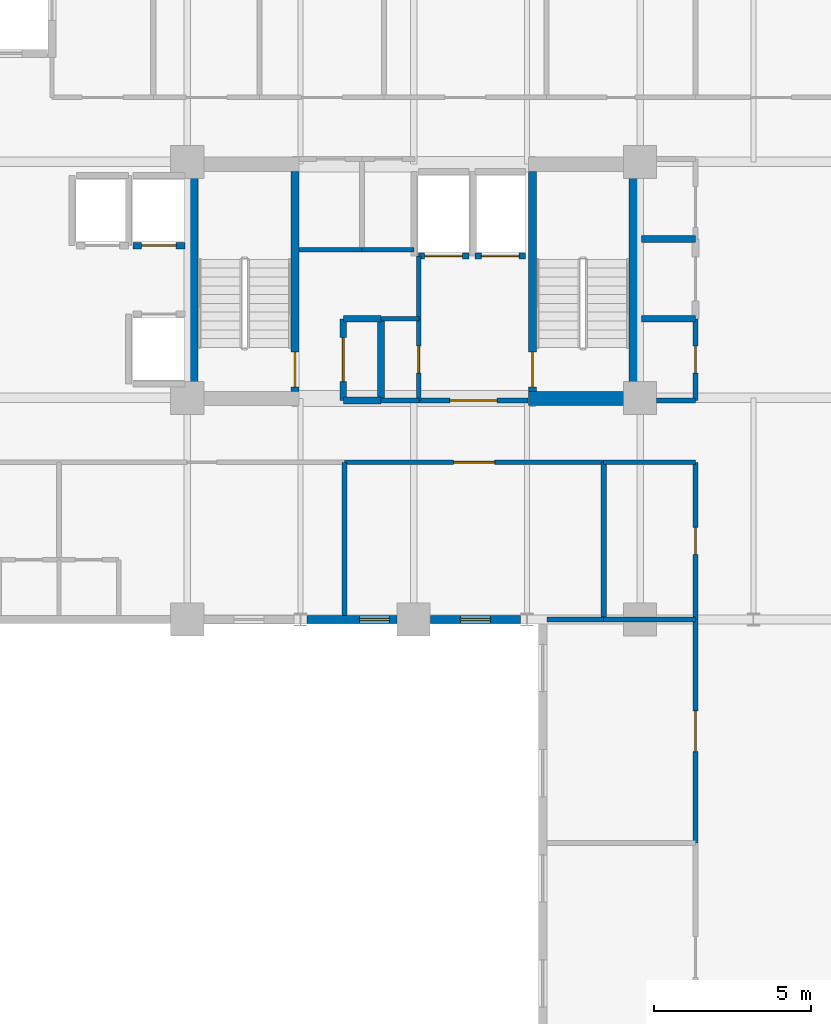
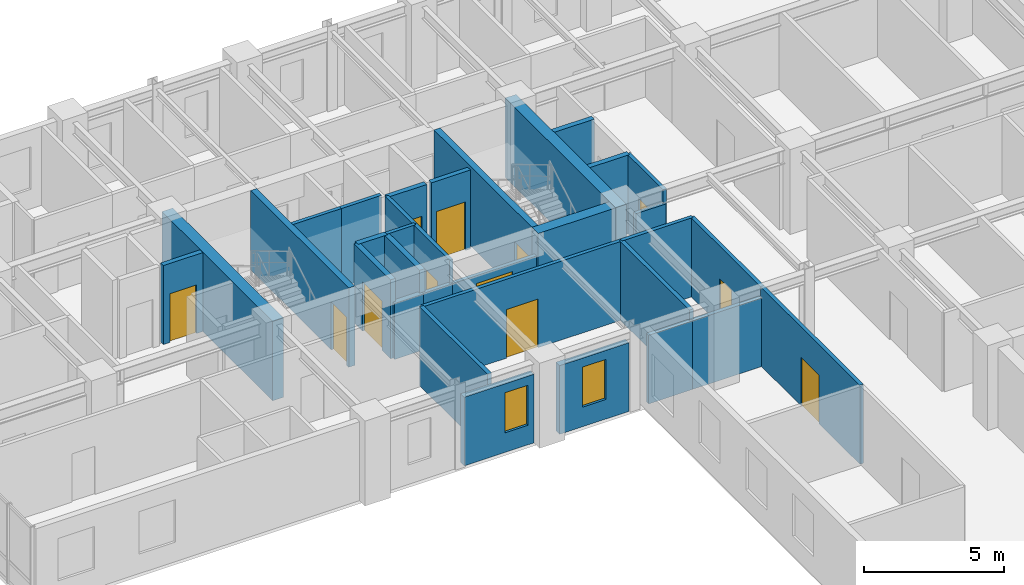
# One storey, part 10 of 18: 33 walls, 12 doors, 2 windows, 14 openings.
"""IFC4 building model written with IfcOpenShell, lengths in metres."""

from ifc_helpers import new_model, si_unit, direction, frame, frame_2d, origin, place, context, subcontext, project, spatial, rectangle, extrude, material, layer, layer_set, type_object, element, fill, save


model = new_model("IFC4")

# Units and contexts
model_context = context("Model", 3, precision=1e-05, world=origin(), true_north=direction((0.0, 1.0)))
body_context = subcontext(model_context, "Body", "Model", "MODEL_VIEW")
ifc_project = project(units=[si_unit("LENGTHUNIT", "METRE"), si_unit("AREAUNIT", "SQUARE_METRE"), si_unit("VOLUMEUNIT", "CUBIC_METRE"), si_unit("PLANEANGLEUNIT", "RADIAN"), si_unit("MASSUNIT", "GRAM", prefix="KILO")], contexts=[model_context])

# Site, building, storey
site_placement = place(None, origin())
site = spatial("IfcSite", under=ifc_project, at=site_placement, CompositionType="ELEMENT")
building_placement = place(site_placement, origin())
building = spatial("IfcBuilding", under=site, at=building_placement, Name="Kaliganga Portal Commons", CompositionType="ELEMENT")
storey_placement = place(building_placement, frame((0.0, 0.0, 169.800048828125)))
storey = spatial("IfcBuildingStorey", under=building, at=storey_placement, Name="L43", CompositionType="ELEMENT", Elevation=169.800048828125)

# Walls
ifc_material_1 = material(Name="Concrete C60/75", Category="concrete")
ifc_layer_1 = layer(ifc_material_1, 0.449951171875)
ifc_layer_set_1 = layer_set([ifc_layer_1], Name="Concrete C60/75")
wall_type_1 = type_object("IfcWallType", Name="WL-CORE-450", PredefinedType="SHEAR", material=ifc_layer_set_1)
for number, where, z_axis, x_axis, name in (
    (1, (14.52490234375, 28.39990234375, 0.0), (0.0, 0.0, 1.0), (0.0, 1.0, 0.0), "Core A West Shear Wall L43"),
    (2, (28.675048828125, 28.39990234375, 0.0), (0.0, 0.0, 1.0), (0.0, 1.0, 0.0), "Core A East Shear Wall L43"),
):
    element("IfcWall", number, at=place(storey_placement, frame(where, z_axis=z_axis, x_axis=x_axis)), inside=storey, type_object=wall_type_1, Name=name, PredefinedType="SHEAR", context=body_context, shape_type="SweptSolid", body=[
        extrude(rectangle(XDim=7.900146484375, YDim=0.449951171875, at=frame_2d((3.9501953125, 0.0))), origin(), (0.0, 0.0, 1.0), 3.4599609375),
    ])
wall_1_placement = place(storey_placement, frame((25.25, 28.625, 0.0), z_axis=(0.0, 0.0, 1.0), x_axis=(1.0, 0.0, 0.0)))
element("IfcWall", 3, at=wall_1_placement, inside=storey, type_object=wall_type_1, Name="Core A S-East Shear Wall L43", PredefinedType="SHEAR", context=body_context, shape_type="SweptSolid", body=[
    extrude(rectangle(XDim=3.199951171875, YDim=0.449951171875, at=frame_2d((1.60009765625, 0.0))), origin(), (0.0, 0.0, 1.0), 3.4599609375),
])

# Wall, opening, window
ifc_material_2 = material(Name="Insulated Aluminium-Clad Spandrel Assembly", Category="aluminium")
ifc_layer_2 = layer(ifc_material_2, 0.260009765625)
ifc_layer_set_2 = layer_set([ifc_layer_2], Name="Insulated Aluminium-Clad Spandrel Assembly")
wall_type_2 = type_object("IfcWallType", Name="WL-EXT-SPAND-260", PredefinedType="STANDARD", material=ifc_layer_set_2)
wall_2_placement = place(storey_placement, frame((21.073974609375, 21.60009765625, 0.0), z_axis=(0.0, 0.0, 1.0), x_axis=(-1.0, 0.0, 0.0)))
wall_2 = element("IfcWall", 4, at=wall_2_placement, inside=storey, type_object=wall_type_2, Name="Exterior Envelope Wall L43 P1-E10-S3", PredefinedType="STANDARD", context=body_context, shape_type="SweptSolid", body=[
    extrude(rectangle(XDim=2.87109375, YDim=0.260009765625, at=frame_2d((1.435546875, 0.0))), origin(), (0.0, 0.0, 1.0), 2.989990234375),
])
opening_1_placement = place(wall_2_placement, frame((0.24853515625, 0.0, 0.85009765625)))
opening_1 = element("IfcOpeningElement", 5, at=opening_1_placement, cuts=wall_2, Name="Opening W-04", PredefinedType="OPENING", context=body_context, shape_type="SweptSolid", body=[
    extrude(rectangle(XDim=0.949951171875, YDim=1.75, at=frame_2d((0.47509765625, 0.875))), frame((0.0, 0.14013671875, 0.0), z_axis=(0.0, -1.0, 0.0), x_axis=(1.0, 0.0, 0.0)), (0.0, 0.0, 1.0), 0.280029296875),
])
ifc_material_3 = material(Name="Thermally Broken Aluminium and Low-E Double Glazing", Category="aluminium")
window_type = type_object("IfcWindowType", Name="WIN-NARROW-950", PartitioningType="SINGLE_PANEL", PredefinedType="WINDOW", material=ifc_material_3)
window_1_placement = place(opening_1_placement, origin())
window_1 = element("IfcWindow", 6, at=window_1_placement, inside=storey, type_object=window_type, Name="Facade Window L43-P1E10S3-N1", OverallHeight=1.75, OverallWidth=0.949951171875, PartitioningType="SINGLE_PANEL", PredefinedType="WINDOW", context=body_context, shape_type="SweptSolid", body=[
    extrude(rectangle(XDim=0.949951171875, YDim=1.75, at=frame_2d((0.47509765625, 0.875))), frame((0.0, 0.030029296875, 0.0), z_axis=(0.0, -1.0, 0.0), x_axis=(1.0, 0.0, 0.0)), (0.0, 0.0, 1.0), 0.06005859375),
])
fill(opening_1, window_1)

wall_3_placement = place(storey_placement, frame((24.9970703125, 21.60009765625, 0.0), z_axis=(0.0, 0.0, 1.0), x_axis=(-1.0, 0.0, 0.0)))
wall_3 = element("IfcWall", 7, at=wall_3_placement, inside=storey, type_object=wall_type_2, Name="Exterior Envelope Wall L43 P1-E10-S4", PredefinedType="STANDARD", context=body_context, shape_type="SweptSolid", body=[
    extrude(rectangle(XDim=2.87109375, YDim=0.260009765625, at=frame_2d((1.435546875, 0.0))), origin(), (0.0, 0.0, 1.0), 2.989990234375),
])
opening_2_placement = place(wall_3_placement, frame((0.96044921875, 0.0, 0.85009765625)))
opening_2 = element("IfcOpeningElement", 8, at=opening_2_placement, cuts=wall_3, Name="Opening W-04", PredefinedType="OPENING", context=body_context, shape_type="SweptSolid", body=[
    extrude(rectangle(XDim=0.949951171875, YDim=1.75, at=frame_2d((0.47509765625, 0.875))), frame((0.0, 0.14013671875, 0.0), z_axis=(0.0, -1.0, 0.0), x_axis=(1.0, 0.0, 0.0)), (0.0, 0.0, 1.0), 0.280029296875),
])
window_2_placement = place(opening_2_placement, origin())
window_2 = element("IfcWindow", 9, at=window_2_placement, inside=storey, type_object=window_type, Name="Facade Window L43-P1E10S4-00", OverallHeight=1.75, OverallWidth=0.949951171875, PartitioningType="SINGLE_PANEL", PredefinedType="WINDOW", context=body_context, shape_type="SweptSolid", body=[
    extrude(rectangle(XDim=0.949951171875, YDim=1.75, at=frame_2d((0.47509765625, 0.875))), frame((0.0, 0.030029296875, 0.0), z_axis=(0.0, -1.0, 0.0), x_axis=(1.0, 0.0, 0.0)), (0.0, 0.0, 1.0), 0.06005859375),
])
fill(opening_2, window_2)

# Wall, opening, door
ifc_material_4 = material(Name="Fire-Rated Gypsum Board on Steel Stud", Category="steel")
ifc_layer_3 = layer(ifc_material_4, 0.14990234375)
ifc_layer_set_3 = layer_set([ifc_layer_3], Name="Fire-Rated Gypsum Board on Steel Stud")
wall_type_3 = type_object("IfcWallType", Name="WL-PART-CORR-150", PredefinedType="PARTITIONING", material=ifc_layer_set_3)
wall_4_placement = place(storey_placement, frame((19.39990234375, 26.60009765625, 0.0), z_axis=(0.0, 0.0, 1.0), x_axis=(1.0, 0.0, 0.0)))
wall_4 = element("IfcWall", 10, at=wall_4_placement, inside=storey, type_object=wall_type_3, Name="Interior Partition L43-009", PredefinedType="PARTITIONING", context=body_context, shape_type="SweptSolid", body=[
    extrude(rectangle(XDim=8.239990234375, YDim=0.14990234375, at=frame_2d((4.1201171875, 0.0))), origin(), (0.0, 0.0, 1.0), 3.43994140625),
])
opening_3_placement = place(wall_4_placement, frame((3.469970703125, 0.0, 0.0)))
opening_3 = element("IfcOpeningElement", 11, at=opening_3_placement, cuts=wall_4, Name="Opening RD-03", PredefinedType="OPENING", context=body_context, shape_type="SweptSolid", body=[
    extrude(rectangle(XDim=1.300048828125, YDim=2.1201171875, at=frame_2d((0.64990234375, 1.06005859375))), frame((0.0, 0.0849609375, 0.0), z_axis=(0.0, -1.0, 0.0), x_axis=(1.0, 0.0, 0.0)), (0.0, 0.0, 1.0), 0.169921875),
])
ifc_material_5 = material(Name="Glazed Timber Seminar Vision Door", Category="wood")
door_type_1 = type_object("IfcDoorType", Name="DR-STUDY-1300", OperationType="DOUBLE_DOOR_SINGLE_SWING", PredefinedType="DOOR", material=ifc_material_5)
door_1_placement = place(opening_3_placement, origin())
door_1 = element("IfcDoor", 12, at=door_1_placement, inside=storey, type_object=door_type_1, Name="Interior Door L43-AS03", OperationType="DOUBLE_DOOR_SINGLE_SWING", OverallHeight=2.1201171875, OverallWidth=1.300048828125, PredefinedType="DOOR", context=body_context, shape_type="SweptSolid", body=[
    extrude(rectangle(XDim=1.300048828125, YDim=2.1201171875, at=frame_2d((0.64990234375, 1.06005859375))), frame((0.0, 0.02490234375, 0.0), z_axis=(0.0, -1.0, 0.0), x_axis=(1.0, 0.0, 0.0)), (0.0, 0.0, 1.0), 0.050048828125),
])
fill(opening_3, door_1)

wall_5_placement = place(storey_placement, frame((30.56005859375, 14.5, 0.0), z_axis=(0.0, 0.0, 1.0), x_axis=(0.0, 1.0, 0.0)))
wall_5 = element("IfcWall", 13, at=wall_5_placement, inside=storey, type_object=wall_type_3, Name="Interior Partition L43-014", PredefinedType="PARTITIONING", context=body_context, shape_type="SweptSolid", body=[
    extrude(rectangle(XDim=7.10009765625, YDim=0.14990234375, at=frame_2d((3.550048828125, 0.0))), origin(), (0.0, 0.0, 1.0), 3.43994140625),
])
opening_4_placement = place(wall_5_placement, frame((2.89990234375, 0.0, 0.0)))
opening_4 = element("IfcOpeningElement", 14, at=opening_4_placement, cuts=wall_5, Name="Opening RD-03", PredefinedType="OPENING", context=body_context, shape_type="SweptSolid", body=[
    extrude(rectangle(XDim=1.300048828125, YDim=2.1201171875, at=frame_2d((0.64990234375, 1.06005859375))), frame((0.0, 0.0849609375, 0.0), z_axis=(0.0, -1.0, 0.0), x_axis=(1.0, 0.0, 0.0)), (0.0, 0.0, 1.0), 0.169921875),
])
door_2_placement = place(opening_4_placement, origin())
door_2 = element("IfcDoor", 15, at=door_2_placement, inside=storey, type_object=door_type_1, Name="Interior Door L43-KW02", OperationType="DOUBLE_DOOR_SINGLE_SWING", OverallHeight=2.1201171875, OverallWidth=1.300048828125, PredefinedType="DOOR", context=body_context, shape_type="SweptSolid", body=[
    extrude(rectangle(XDim=1.300048828125, YDim=2.1201171875, at=frame_2d((0.64990234375, 1.06005859375))), frame((0.0, 0.02490234375, 0.0), z_axis=(0.0, -1.0, 0.0), x_axis=(1.0, 0.0, 0.0)), (0.0, 0.0, 1.0), 0.050048828125),
])
fill(opening_4, door_2)

wall_6_placement = place(storey_placement, frame((30.56005859375, 21.60009765625, 0.0), z_axis=(0.0, 0.0, 1.0), x_axis=(0.0, 1.0, 0.0)))
wall_6 = element("IfcWall", 16, at=wall_6_placement, inside=storey, type_object=wall_type_3, Name="Interior Partition L43-020", PredefinedType="PARTITIONING", context=body_context, shape_type="SweptSolid", body=[
    extrude(rectangle(XDim=5.0, YDim=0.14990234375, at=frame_2d((2.5, 0.0))), origin(), (0.0, 0.0, 1.0), 3.43994140625),
])
opening_5_placement = place(wall_6_placement, frame((2.070068359375, 0.0, 0.0)))
opening_5 = element("IfcOpeningElement", 17, at=opening_5_placement, cuts=wall_6, Name="Opening WD-02", PredefinedType="OPENING", context=body_context, shape_type="SweptSolid", body=[
    extrude(rectangle(XDim=0.860107421875, YDim=2.02001953125, at=frame_2d((0.43017578125, 1.010009765625))), frame((0.0, 0.0849609375, 0.0), z_axis=(0.0, -1.0, 0.0), x_axis=(1.0, 0.0, 0.0)), (0.0, 0.0, 1.0), 0.169921875),
])
ifc_material_6 = material(Name="Fire-Rated Utility Closet Door", Category="wood")
door_type_2 = type_object("IfcDoorType", Name="DR-STORE-800", OperationType="NOTDEFINED", PredefinedType="DOOR", material=ifc_material_6)
door_3_placement = place(opening_5_placement, origin())
door_3 = element("IfcDoor", 18, at=door_3_placement, inside=storey, type_object=door_type_2, Name="Interior Door L43-AS04", OperationType="SINGLE_SWING_RIGHT", OverallHeight=2.02001953125, OverallWidth=0.860107421875, PredefinedType="DOOR", context=body_context, shape_type="SweptSolid", body=[
    extrude(rectangle(XDim=0.860107421875, YDim=2.02001953125, at=frame_2d((0.43017578125, 1.010009765625))), frame((0.0, 0.02490234375, 0.0), z_axis=(0.0, -1.0, 0.0), x_axis=(1.0, 0.0, 0.0)), (0.0, 0.0, 1.0), 0.050048828125),
])
fill(opening_5, door_3)

# Wall
wall_7_placement = place(storey_placement, frame((27.639892578125, 26.60009765625, 0.0), z_axis=(0.0, 0.0, 1.0), x_axis=(1.0, 0.0, 0.0)))
element("IfcWall", 19, at=wall_7_placement, inside=storey, type_object=wall_type_3, Name="Interior Partition L43-037", PredefinedType="PARTITIONING", context=body_context, shape_type="SweptSolid", body=[
    extrude(rectangle(XDim=2.920166015625, YDim=0.14990234375, at=frame_2d((1.4599609375, 0.0))), origin(), (0.0, 0.0, 1.0), 3.43994140625),
])

# Wall, opening, door
wall_8_placement = place(storey_placement, frame((21.760009765625, 28.56005859375, 0.0), z_axis=(0.0, 0.0, 1.0), x_axis=(0.0, 1.0, 0.0)))
wall_8 = element("IfcWall", 20, at=wall_8_placement, inside=storey, type_object=wall_type_3, Name="Interior Partition L43-041", PredefinedType="PARTITIONING", context=body_context, shape_type="SweptSolid", body=[
    extrude(rectangle(XDim=2.599853515625, YDim=0.14990234375, at=frame_2d((1.2998046875, 0.0))), origin(), (0.0, 0.0, 1.0), 3.43994140625),
])
opening_6_placement = place(wall_8_placement, frame((0.8701171875, 0.0, 0.0)))
opening_6 = element("IfcOpeningElement", 21, at=opening_6_placement, cuts=wall_8, Name="Opening WD-02", PredefinedType="OPENING", context=body_context, shape_type="SweptSolid", body=[
    extrude(rectangle(XDim=0.860107421875, YDim=2.02001953125, at=frame_2d((0.43017578125, 1.010009765625))), frame((0.0, 0.0849609375, 0.0), z_axis=(0.0, -1.0, 0.0), x_axis=(1.0, 0.0, 0.0)), (0.0, 0.0, 1.0), 0.169921875),
])
door_4_placement = place(opening_6_placement, origin())
door_4 = element("IfcDoor", 22, at=door_4_placement, inside=storey, type_object=door_type_2, Name="Interior Door L43-CIN_A2", OperationType="SINGLE_SWING_LEFT", OverallHeight=2.02001953125, OverallWidth=0.860107421875, PredefinedType="DOOR", context=body_context, shape_type="SweptSolid", body=[
    extrude(rectangle(XDim=0.860107421875, YDim=2.02001953125, at=frame_2d((0.43017578125, 1.010009765625))), frame((0.0, 0.02490234375, 0.0), z_axis=(0.0, -1.0, 0.0), x_axis=(1.0, 0.0, 0.0)), (0.0, 0.0, 1.0), 0.050048828125),
])
fill(opening_6, door_4)

wall_9_placement = place(storey_placement, frame((30.56005859375, 28.56005859375, 0.0), z_axis=(0.0, 0.0, 1.0), x_axis=(0.0, 1.0, 0.0)))
wall_9 = element("IfcWall", 23, at=wall_9_placement, inside=storey, type_object=wall_type_3, Name="Interior Partition L43-042", PredefinedType="PARTITIONING", context=body_context, shape_type="SweptSolid", body=[
    extrude(rectangle(XDim=2.599853515625, YDim=0.14990234375, at=frame_2d((1.2998046875, 0.0))), origin(), (0.0, 0.0, 1.0), 3.43994140625),
])
opening_7_placement = place(wall_9_placement, frame((0.8701171875, 0.0, 0.0)))
opening_7 = element("IfcOpeningElement", 24, at=opening_7_placement, cuts=wall_9, Name="Opening WD-02", PredefinedType="OPENING", context=body_context, shape_type="SweptSolid", body=[
    extrude(rectangle(XDim=0.860107421875, YDim=2.02001953125, at=frame_2d((0.43017578125, 1.010009765625))), frame((0.0, 0.0849609375, 0.0), z_axis=(0.0, -1.0, 0.0), x_axis=(1.0, 0.0, 0.0)), (0.0, 0.0, 1.0), 0.169921875),
])
door_5_placement = place(opening_7_placement, origin())
door_5 = element("IfcDoor", 25, at=door_5_placement, inside=storey, type_object=door_type_2, Name="Interior Door L43-CSRV_A1", OperationType="SINGLE_SWING_RIGHT", OverallHeight=2.02001953125, OverallWidth=0.860107421875, PredefinedType="DOOR", context=body_context, shape_type="SweptSolid", body=[
    extrude(rectangle(XDim=0.860107421875, YDim=2.02001953125, at=frame_2d((0.43017578125, 1.010009765625))), frame((0.0, 0.02490234375, 0.0), z_axis=(0.0, -1.0, 0.0), x_axis=(1.0, 0.0, 0.0)), (0.0, 0.0, 1.0), 0.050048828125),
])
fill(opening_7, door_5)

# Walls
wall_10_placement = place(storey_placement, frame((17.9599609375, 33.360107421875, 0.0), z_axis=(0.0, 0.0, 1.0), x_axis=(1.0, 0.0, 0.0)))
element("IfcWall", 26, at=wall_10_placement, inside=storey, type_object=wall_type_3, Name="Interior Partition L43-047", PredefinedType="PARTITIONING", context=body_context, shape_type="SweptSolid", body=[
    extrude(rectangle(XDim=2.0, YDim=0.14990234375, at=frame_2d((1.0, 0.0))), origin(), (0.0, 0.0, 1.0), 3.43994140625),
])
wall_11_placement = place(storey_placement, frame((29.324951171875, 28.56005859375, 0.0), z_axis=(0.0, 0.0, 1.0), x_axis=(1.0, 0.0, 0.0)))
element("IfcWall", 27, at=wall_11_placement, inside=storey, type_object=wall_type_3, Name="Interior Partition L43-050", PredefinedType="PARTITIONING", context=body_context, shape_type="SweptSolid", body=[
    extrude(rectangle(XDim=1.235107421875, YDim=0.14990234375, at=frame_2d((0.61767578125, 0.0))), origin(), (0.0, 0.0, 1.0), 2.83984375),
])
wall_12_placement = place(storey_placement, frame((19.9599609375, 33.360107421875, 0.0), z_axis=(0.0, 0.0, 1.0), x_axis=(1.0, 0.0, 0.0)))
element("IfcWall", 28, at=wall_12_placement, inside=storey, type_object=wall_type_3, Name="Interior Partition L43-052", PredefinedType="PARTITIONING", context=body_context, shape_type="SweptSolid", body=[
    extrude(rectangle(XDim=1.650146484375, YDim=0.14990234375, at=frame_2d((0.8251953125, 0.0))), origin(), (0.0, 0.0, 1.0), 3.43994140625),
])
wall_13_placement = place(storey_placement, frame((20.56005859375, 28.56005859375, 0.0), z_axis=(0.0, 0.0, 1.0), x_axis=(1.0, 0.0, 0.0)))
element("IfcWall", 29, at=wall_13_placement, inside=storey, type_object=wall_type_3, Name="Interior Partition L43-054", PredefinedType="PARTITIONING", context=body_context, shape_type="SweptSolid", body=[
    extrude(rectangle(XDim=1.199951171875, YDim=0.14990234375, at=frame_2d((0.60009765625, 0.0))), origin(), (0.0, 0.0, 1.0), 2.43994140625),
])
wall_14_placement = place(storey_placement, frame((20.56005859375, 31.159912109375, 0.0), z_axis=(0.0, 0.0, 1.0), x_axis=(1.0, 0.0, 0.0)))
element("IfcWall", 30, at=wall_14_placement, inside=storey, type_object=wall_type_3, Name="Interior Partition L43-055", PredefinedType="PARTITIONING", context=body_context, shape_type="SweptSolid", body=[
    extrude(rectangle(XDim=1.199951171875, YDim=0.14990234375, at=frame_2d((0.60009765625, 0.0))), origin(), (0.0, 0.0, 1.0), 3.43994140625),
])

# Wall, opening, door
wall_15_placement = place(storey_placement, frame((21.760009765625, 28.56005859375, 0.0), z_axis=(0.0, 0.0, 1.0), x_axis=(1.0, 0.0, 0.0)))
wall_15 = element("IfcWall", 31, at=wall_15_placement, inside=storey, type_object=wall_type_3, Name="Interior Partition L43-083", PredefinedType="PARTITIONING", context=body_context, shape_type="SweptSolid", body=[
    extrude(rectangle(XDim=3.47998046875, YDim=0.14990234375, at=frame_2d((1.739990234375, 0.0))), origin(), (0.0, 0.0, 1.0), 2.43994140625),
])
opening_8_placement = place(wall_15_placement, frame((0.989990234375, 0.0, 0.0)))
opening_8 = element("IfcOpeningElement", 32, at=opening_8_placement, cuts=wall_15, Name="Opening FD-01", PredefinedType="OPENING", context=body_context, shape_type="SweptSolid", body=[
    extrude(rectangle(XDim=1.5, YDim=2.10009765625, at=frame_2d((0.75, 1.050048828125))), frame((0.0, 0.0849609375, 0.0), z_axis=(0.0, -1.0, 0.0), x_axis=(1.0, 0.0, 0.0)), (0.0, 0.0, 1.0), 0.169921875),
])
ifc_material_7 = material(Name="Fire-Rated Hardwood and Georgian-Wired Vision Panel", Category="wood")
door_type_3 = type_object("IfcDoorType", Name="DR-LOBBY-1500", OperationType="DOUBLE_DOOR_SINGLE_SWING", PredefinedType="DOOR", material=ifc_material_7)
door_6_placement = place(opening_8_placement, origin())
door_6 = element("IfcDoor", 33, at=door_6_placement, inside=storey, type_object=door_type_3, Name="Interior Door L43-FFLOB_A", OperationType="DOUBLE_DOOR_SINGLE_SWING", OverallHeight=2.10009765625, OverallWidth=1.5, PredefinedType="DOOR", context=body_context, shape_type="SweptSolid", body=[
    extrude(rectangle(XDim=1.5, YDim=2.10009765625, at=frame_2d((0.75, 1.050048828125))), frame((0.0, 0.02490234375, 0.0), z_axis=(0.0, -1.0, 0.0), x_axis=(1.0, 0.0, 0.0)), (0.0, 0.0, 1.0), 0.050048828125),
])
fill(opening_8, door_6)

# Wall
wall_16_placement = place(storey_placement, frame((21.760009765625, 31.159912109375, 0.0), z_axis=(0.0, 0.0, 1.0), x_axis=(0.0, 1.0, 0.0)))
element("IfcWall", 34, at=wall_16_placement, inside=storey, type_object=wall_type_3, Name="Interior Partition L43-090", PredefinedType="PARTITIONING", context=body_context, shape_type="SweptSolid", body=[
    extrude(rectangle(XDim=2.0, YDim=0.14990234375, at=frame_2d((1.0, 0.0))), origin(), (0.0, 0.0, 1.0), 3.43994140625),
])

# Wall, opening, door
ifc_material_8 = material(Name="Lightweight blockwork masonry", Category="masonry")
ifc_layer_4 = layer(ifc_material_8, 0.215087890625)
ifc_layer_set_4 = layer_set([ifc_layer_4], Name="Lightweight blockwork masonry")
wall_type_4 = type_object("IfcWallType", Name="WL-PART-PLANT-215", PredefinedType="PARTITIONING", material=ifc_layer_set_4)
wall_17_placement = place(storey_placement, frame((19.360107421875, 28.56005859375, 0.0), z_axis=(0.0, 0.0, 1.0), x_axis=(0.0, 1.0, 0.0)))
wall_17 = element("IfcWall", 35, at=wall_17_placement, inside=storey, type_object=wall_type_4, Name="Interior Partition L43-040", PredefinedType="PARTITIONING", context=body_context, shape_type="SweptSolid", body=[
    extrude(rectangle(XDim=2.599853515625, YDim=0.215087890625, at=frame_2d((1.2998046875, 0.0))), origin(), (0.0, 0.0, 1.0), 3.43994140625),
])
opening_9_placement = place(wall_17_placement, frame((0.60009765625, 0.0, 0.0)))
opening_9 = element("IfcOpeningElement", 36, at=opening_9_placement, cuts=wall_17, Name="Opening PD-01", PredefinedType="OPENING", context=body_context, shape_type="SweptSolid", body=[
    extrude(rectangle(XDim=1.39990234375, YDim=2.14990234375, at=frame_2d((0.699951171875, 1.074951171875))), frame((0.0, 0.11767578125, 0.0), z_axis=(0.0, -1.0, 0.0), x_axis=(1.0, 0.0, 0.0)), (0.0, 0.0, 1.0), 0.235107421875),
])
ifc_material_9 = material(Name="Heavy-Duty Steel Acoustic Louvre Fire Door", Category="steel")
door_type_4 = type_object("IfcDoorType", Name="DR-PLANT-1400", OperationType="DOUBLE_DOOR_SINGLE_SWING", PredefinedType="DOOR", material=ifc_material_9)
door_7_placement = place(opening_9_placement, origin())
door_7 = element("IfcDoor", 37, at=door_7_placement, inside=storey, type_object=door_type_4, Name="Interior Door L43-CIN_A1", OperationType="DOUBLE_DOOR_SINGLE_SWING", OverallHeight=2.14990234375, OverallWidth=1.39990234375, PredefinedType="DOOR", context=body_context, shape_type="SweptSolid", body=[
    extrude(rectangle(XDim=1.39990234375, YDim=2.14990234375, at=frame_2d((0.699951171875, 1.074951171875))), frame((0.0, 0.02490234375, 0.0), z_axis=(0.0, -1.0, 0.0), x_axis=(1.0, 0.0, 0.0)), (0.0, 0.0, 1.0), 0.050048828125),
])
fill(opening_9, door_7)

# Walls
wall_18_placement = place(storey_placement, frame((19.360107421875, 28.56005859375, 0.0), z_axis=(0.0, 0.0, 1.0), x_axis=(1.0, 0.0, 0.0)))
element("IfcWall", 38, at=wall_18_placement, inside=storey, type_object=wall_type_4, Name="Interior Partition L43-056", PredefinedType="PARTITIONING", context=body_context, shape_type="SweptSolid", body=[
    extrude(rectangle(XDim=1.199951171875, YDim=0.215087890625, at=frame_2d((0.60009765625, 0.0))), origin(), (0.0, 0.0, 1.0), 2.43994140625),
])
wall_19_placement = place(storey_placement, frame((19.360107421875, 31.159912109375, 0.0), z_axis=(0.0, 0.0, 1.0), x_axis=(1.0, 0.0, 0.0)))
element("IfcWall", 39, at=wall_19_placement, inside=storey, type_object=wall_type_4, Name="Interior Partition L43-057", PredefinedType="PARTITIONING", context=body_context, shape_type="SweptSolid", body=[
    extrude(rectangle(XDim=1.199951171875, YDim=0.215087890625, at=frame_2d((0.60009765625, 0.0))), origin(), (0.0, 0.0, 1.0), 3.43994140625),
])
wall_20_placement = place(storey_placement, frame((20.56005859375, 28.56005859375, 0.0), z_axis=(0.0, 0.0, 1.0), x_axis=(0.0, 1.0, 0.0)))
element("IfcWall", 40, at=wall_20_placement, inside=storey, type_object=wall_type_4, Name="Interior Partition L43-087", PredefinedType="PARTITIONING", context=body_context, shape_type="SweptSolid", body=[
    extrude(rectangle(XDim=2.599853515625, YDim=0.215087890625, at=frame_2d((1.2998046875, 0.0))), origin(), (0.0, 0.0, 1.0), 3.43994140625),
])
for number, where, z_axis, x_axis, name in (
    (41, (28.840087890625, 31.159912109375, 0.0), (0.0, 0.0, 1.0), (1.0, 0.0, 0.0), "Interior Partition L43-092"),
    (42, (28.840087890625, 33.699951171875, 0.0), (0.0, 0.0, 1.0), (1.0, 0.0, 0.0), "Interior Partition L43-093"),
):
    element("IfcWall", number, at=place(storey_placement, frame(where, z_axis=z_axis, x_axis=x_axis)), inside=storey, type_object=wall_type_4, Name=name, PredefinedType="PARTITIONING", context=body_context, shape_type="SweptSolid", body=[
        extrude(rectangle(XDim=1.719970703125, YDim=0.215087890625, at=frame_2d((0.85986328125, 0.0))), origin(), (0.0, 0.0, 1.0), 3.43994140625),
    ])
ifc_material_10 = material(Name="Twin-Stud Acoustic Gypsum Partition", Category="gypsum")
ifc_layer_5 = layer(ifc_material_10, 0.1650390625)
ifc_layer_set_5 = layer_set([ifc_layer_5], Name="Twin-Stud Acoustic Gypsum Partition")
wall_type_5 = type_object("IfcWallType", Name="WL-PART-UNIT-165", PredefinedType="PARTITIONING", material=ifc_layer_set_5)
wall_21_placement = place(storey_placement, frame((19.39990234375, 21.73193359375, 0.0), z_axis=(0.0, 0.0, 1.0), x_axis=(0.0, 1.0, 0.0)))
element("IfcWall", 43, at=wall_21_placement, inside=storey, type_object=wall_type_5, Name="Interior Partition L43-074", PredefinedType="PARTITIONING", context=body_context, shape_type="SweptSolid", body=[
    extrude(rectangle(XDim=4.8681640625, YDim=0.1650390625, at=frame_2d((2.43408203125, 0.0))), origin(), (0.0, 0.0, 1.0), 3.43994140625),
])
wall_22_placement = place(storey_placement, frame((27.639892578125, 21.60009765625, 0.0), z_axis=(0.0, 0.0, 1.0), x_axis=(0.0, 1.0, 0.0)))
element("IfcWall", 44, at=wall_22_placement, inside=storey, type_object=wall_type_5, Name="Interior Partition L43-077", PredefinedType="PARTITIONING", context=body_context, shape_type="SweptSolid", body=[
    extrude(rectangle(XDim=5.0, YDim=0.1650390625, at=frame_2d((2.5, 0.0))), origin(), (0.0, 0.0, 1.0), 3.43994140625),
])
wall_23_placement = place(storey_placement, frame((27.639892578125, 21.60009765625, 0.0), z_axis=(0.0, 0.0, 1.0), x_axis=(1.0, 0.0, 0.0)))
element("IfcWall", 45, at=wall_23_placement, inside=storey, type_object=wall_type_5, Name="Interior Partition L43-085", PredefinedType="PARTITIONING", context=body_context, shape_type="SweptSolid", body=[
    extrude(rectangle(XDim=2.920166015625, YDim=0.1650390625, at=frame_2d((1.4599609375, 0.0))), origin(), (0.0, 0.0, 1.0), 2.989990234375),
])
wall_24_placement = place(storey_placement, frame((25.83203125, 21.60009765625, 0.0), z_axis=(0.0, 0.0, 1.0), x_axis=(1.0, 0.0, 0.0)))
element("IfcWall", 46, at=wall_24_placement, inside=storey, type_object=wall_type_5, Name="Interior Partition L43-091", PredefinedType="PARTITIONING", context=body_context, shape_type="SweptSolid", body=[
    extrude(rectangle(XDim=1.807861328125, YDim=0.1650390625, at=frame_2d((0.90380859375, 0.0))), origin(), (0.0, 0.0, 1.0), 2.989990234375),
])

# Wall, opening, door
ifc_material_11 = material(Name="Fire-Rated Shaftwall Masonry Assembly", Category="masonry")
ifc_layer_6 = layer(ifc_material_11, 0.199951171875)
ifc_layer_set_6 = layer_set([ifc_layer_6], Name="Fire-Rated Shaftwall Masonry Assembly")
wall_type_6 = type_object("IfcWallType", Name="WL-SHAFT-200", PredefinedType="PARTITIONING", material=ifc_layer_set_6)
wall_25_placement = place(storey_placement, frame((12.675048828125, 33.485107421875, 0.0), z_axis=(0.0, 0.0, 1.0), x_axis=(1.0, 0.0, 0.0)))
wall_25 = element("IfcWall", 47, at=wall_25_placement, inside=storey, type_object=wall_type_6, Name="Lift PL-A3 Hoistway Shaft Wall L43-S", PredefinedType="PARTITIONING", context=body_context, shape_type="SweptSolid", body=[
    extrude(rectangle(XDim=1.64990234375, YDim=0.199951171875, at=frame_2d((0.824951171875, 0.0))), origin(), (0.0, 0.0, 1.0), 3.43994140625),
])
opening_10_placement = place(wall_25_placement, frame((0.27490234375, 0.0, 0.0)))
opening_10 = element("IfcOpeningElement", 48, at=opening_10_placement, cuts=wall_25, Name="Opening LD-01", PredefinedType="OPENING", context=body_context, shape_type="SweptSolid", body=[
    extrude(rectangle(XDim=1.10009765625, YDim=2.1201171875, at=frame_2d((0.550048828125, 1.06005859375))), frame((0.0, 0.10986328125, 0.0), z_axis=(0.0, -1.0, 0.0), x_axis=(1.0, 0.0, 0.0)), (0.0, 0.0, 1.0), 0.219970703125),
])
ifc_material_12 = material(Name="Brushed Stainless Steel 316 Lift Landing Door", Category="steel")
door_type_5 = type_object("IfcDoorType", Name="DR-LIFT-1100", OperationType="SLIDING_TO_LEFT", PredefinedType="DOOR", material=ifc_material_12)
door_8_placement = place(opening_10_placement, origin())
door_8 = element("IfcDoor", 49, at=door_8_placement, inside=storey, type_object=door_type_5, Name="Lift PL-A3 Sliding Landing Door L43", OperationType="SLIDING_TO_LEFT", OverallHeight=2.1201171875, OverallWidth=1.10009765625, PredefinedType="DOOR", context=body_context, shape_type="SweptSolid", body=[
    extrude(rectangle(XDim=1.10009765625, YDim=2.1201171875, at=frame_2d((0.550048828125, 1.06005859375))), frame((0.0, 0.02490234375, 0.0), z_axis=(0.0, -1.0, 0.0), x_axis=(1.0, 0.0, 0.0)), (0.0, 0.0, 1.0), 0.050048828125),
])
fill(opening_10, door_8)

wall_26_placement = place(storey_placement, frame((21.75, 33.159912109375, 0.0), z_axis=(0.0, 0.0, 1.0), x_axis=(1.0, 0.0, 0.0)))
wall_26 = element("IfcWall", 50, at=wall_26_placement, inside=storey, type_object=wall_type_6, Name="Lift FFL-1 Hoistway Shaft Wall L43-S", PredefinedType="PARTITIONING", context=body_context, shape_type="SweptSolid", body=[
    extrude(rectangle(XDim=1.60009765625, YDim=0.199951171875, at=frame_2d((0.800048828125, 0.0))), origin(), (0.0, 0.0, 1.0), 3.43994140625),
])
opening_11_placement = place(wall_26_placement, frame((0.199951171875, 0.0, 0.0)))
opening_11 = element("IfcOpeningElement", 51, at=opening_11_placement, cuts=wall_26, Name="Opening LD-02", PredefinedType="OPENING", context=body_context, shape_type="SweptSolid", body=[
    extrude(rectangle(XDim=1.199951171875, YDim=2.1201171875, at=frame_2d((0.60009765625, 1.06005859375))), frame((0.0, 0.10986328125, 0.0), z_axis=(0.0, -1.0, 0.0), x_axis=(1.0, 0.0, 0.0)), (0.0, 0.0, 1.0), 0.219970703125),
])
ifc_material_13 = material(Name="Brushed Stainless Steel 316 Stretcher Lift Landing Door", Category="steel")
door_type_6 = type_object("IfcDoorType", Name="DR-LIFT-1200", OperationType="SLIDING_TO_RIGHT", PredefinedType="DOOR", material=ifc_material_13)
door_9_placement = place(opening_11_placement, origin())
door_9 = element("IfcDoor", 52, at=door_9_placement, inside=storey, type_object=door_type_6, Name="Lift FFL-1 Sliding Landing Door L43", OperationType="SLIDING_TO_RIGHT", OverallHeight=2.1201171875, OverallWidth=1.199951171875, PredefinedType="DOOR", context=body_context, shape_type="SweptSolid", body=[
    extrude(rectangle(XDim=1.199951171875, YDim=2.1201171875, at=frame_2d((0.60009765625, 1.06005859375))), frame((0.0, 0.02490234375, 0.0), z_axis=(0.0, -1.0, 0.0), x_axis=(1.0, 0.0, 0.0)), (0.0, 0.0, 1.0), 0.050048828125),
])
fill(opening_11, door_9)

wall_27_placement = place(storey_placement, frame((23.550048828125, 33.159912109375, 0.0), z_axis=(0.0, 0.0, 1.0), x_axis=(1.0, 0.0, 0.0)))
wall_27 = element("IfcWall", 53, at=wall_27_placement, inside=storey, type_object=wall_type_6, Name="Lift FFL-2 Hoistway Shaft Wall L43-S", PredefinedType="PARTITIONING", context=body_context, shape_type="SweptSolid", body=[
    extrude(rectangle(XDim=1.599853515625, YDim=0.199951171875, at=frame_2d((0.7998046875, 0.0))), origin(), (0.0, 0.0, 1.0), 3.43994140625),
])
opening_12_placement = place(wall_27_placement, frame((0.199951171875, 0.0, 0.0)))
opening_12 = element("IfcOpeningElement", 54, at=opening_12_placement, cuts=wall_27, Name="Opening LD-02", PredefinedType="OPENING", context=body_context, shape_type="SweptSolid", body=[
    extrude(rectangle(XDim=1.199951171875, YDim=2.1201171875, at=frame_2d((0.60009765625, 1.06005859375))), frame((0.0, 0.10986328125, 0.0), z_axis=(0.0, -1.0, 0.0), x_axis=(1.0, 0.0, 0.0)), (0.0, 0.0, 1.0), 0.219970703125),
])
door_10_placement = place(opening_12_placement, origin())
door_10 = element("IfcDoor", 55, at=door_10_placement, inside=storey, type_object=door_type_6, Name="Lift FFL-2 Sliding Landing Door L43", OperationType="SLIDING_TO_RIGHT", OverallHeight=2.1201171875, OverallWidth=1.199951171875, PredefinedType="DOOR", context=body_context, shape_type="SweptSolid", body=[
    extrude(rectangle(XDim=1.199951171875, YDim=2.1201171875, at=frame_2d((0.60009765625, 1.06005859375))), frame((0.0, 0.02490234375, 0.0), z_axis=(0.0, -1.0, 0.0), x_axis=(1.0, 0.0, 0.0)), (0.0, 0.0, 1.0), 0.050048828125),
])
fill(opening_12, door_10)

ifc_material_14 = material(Name="Concrete C50/60", Category="concrete")
ifc_layer_7 = layer(ifc_material_14, 0.25)
ifc_layer_set_7 = layer_set([ifc_layer_7], Name="Concrete C50/60")
wall_type_7 = type_object("IfcWallType", Name="WL-STAIR-250", PredefinedType="SHEAR", material=ifc_layer_set_7)
wall_28_placement = place(storey_placement, frame((17.824951171875, 28.85009765625, 0.0), z_axis=(0.0, 0.0, 1.0), x_axis=(0.0, 1.0, 0.0)))
wall_28 = element("IfcWall", 56, at=wall_28_placement, inside=storey, type_object=wall_type_7, Name="Stair A1 Enclosure Shear Wall L43", PredefinedType="SHEAR", context=body_context, shape_type="SweptSolid", body=[
    extrude(rectangle(XDim=7.0, YDim=0.25, at=frame_2d((3.5, 0.0))), origin(), (0.0, 0.0, 1.0), 3.4599609375),
])
opening_13_placement = place(wall_28_placement, frame((0.14990234375, 0.0, 0.0)))
opening_13 = element("IfcOpeningElement", 57, at=opening_13_placement, cuts=wall_28, Name="Opening SD-01", PredefinedType="OPENING", context=body_context, shape_type="SweptSolid", body=[
    extrude(rectangle(XDim=1.10009765625, YDim=2.080078125, at=frame_2d((0.550048828125, 1.0400390625))), frame((0.0, 0.135009765625, 0.0), z_axis=(0.0, -1.0, 0.0), x_axis=(1.0, 0.0, 0.0)), (0.0, 0.0, 1.0), 0.27001953125),
])
ifc_material_15 = material(Name="Galvanized Steel Fire Door Leaf and Frame", Category="steel")
door_type_7 = type_object("IfcDoorType", Name="DR-STAIR-1100", OperationType="NOTDEFINED", PredefinedType="DOOR", material=ifc_material_15)
door_11_placement = place(opening_13_placement, origin())
door_11 = element("IfcDoor", 58, at=door_11_placement, inside=storey, type_object=door_type_7, Name="Protected Stair ST-A1 Fire Door L43", OperationType="SINGLE_SWING_LEFT", OverallHeight=2.080078125, OverallWidth=1.10009765625, PredefinedType="DOOR", context=body_context, shape_type="SweptSolid", body=[
    extrude(rectangle(XDim=1.10009765625, YDim=2.080078125, at=frame_2d((0.550048828125, 1.0400390625))), frame((0.0, 0.02490234375, 0.0), z_axis=(0.0, -1.0, 0.0), x_axis=(1.0, 0.0, 0.0)), (0.0, 0.0, 1.0), 0.050048828125),
])
fill(opening_13, door_11)

wall_29_placement = place(storey_placement, frame((25.375, 28.85009765625, 0.0), z_axis=(0.0, 0.0, 1.0), x_axis=(0.0, 1.0, 0.0)))
wall_29 = element("IfcWall", 59, at=wall_29_placement, inside=storey, type_object=wall_type_7, Name="Stair A2 Enclosure Shear Wall L43", PredefinedType="SHEAR", context=body_context, shape_type="SweptSolid", body=[
    extrude(rectangle(XDim=7.0, YDim=0.25, at=frame_2d((3.5, 0.0))), origin(), (0.0, 0.0, 1.0), 3.4599609375),
])
opening_14_placement = place(wall_29_placement, frame((0.14990234375, 0.0, 0.0)))
opening_14 = element("IfcOpeningElement", 60, at=opening_14_placement, cuts=wall_29, Name="Opening SD-01", PredefinedType="OPENING", context=body_context, shape_type="SweptSolid", body=[
    extrude(rectangle(XDim=1.10009765625, YDim=2.080078125, at=frame_2d((0.550048828125, 1.0400390625))), frame((0.0, 0.135009765625, 0.0), z_axis=(0.0, -1.0, 0.0), x_axis=(1.0, 0.0, 0.0)), (0.0, 0.0, 1.0), 0.27001953125),
])
door_12_placement = place(opening_14_placement, origin())
door_12 = element("IfcDoor", 61, at=door_12_placement, inside=storey, type_object=door_type_7, Name="Protected Stair ST-A2 Fire Door L43", OperationType="SINGLE_SWING_RIGHT", OverallHeight=2.080078125, OverallWidth=1.10009765625, PredefinedType="DOOR", context=body_context, shape_type="SweptSolid", body=[
    extrude(rectangle(XDim=1.10009765625, YDim=2.080078125, at=frame_2d((0.550048828125, 1.0400390625))), frame((0.0, 0.02490234375, 0.0), z_axis=(0.0, -1.0, 0.0), x_axis=(1.0, 0.0, 0.0)), (0.0, 0.0, 1.0), 0.050048828125),
])
fill(opening_14, door_12)

save(model, "model.ifc")
